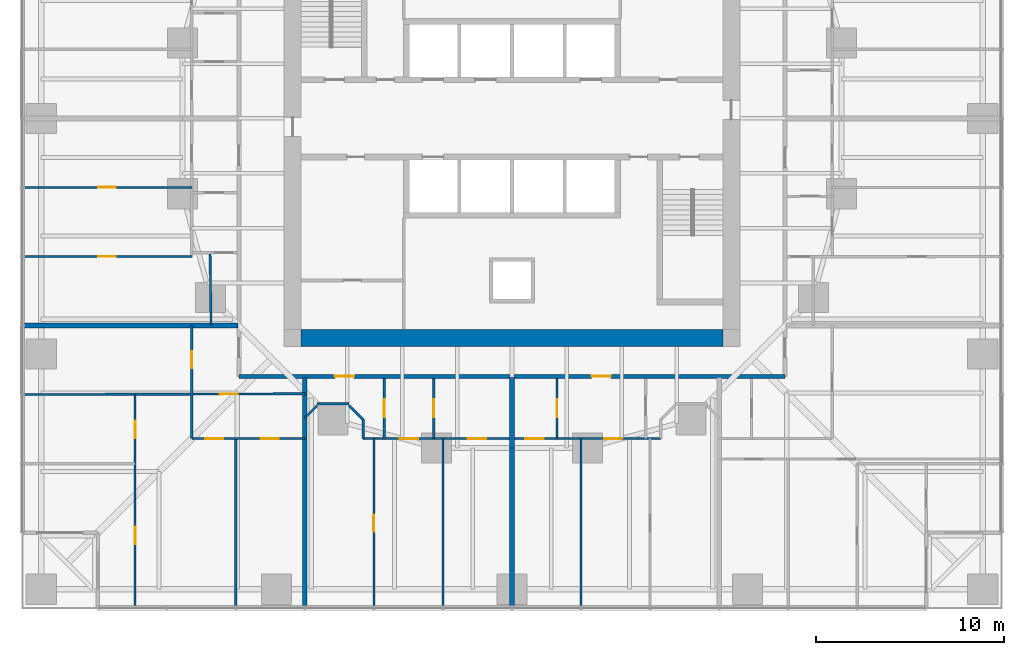
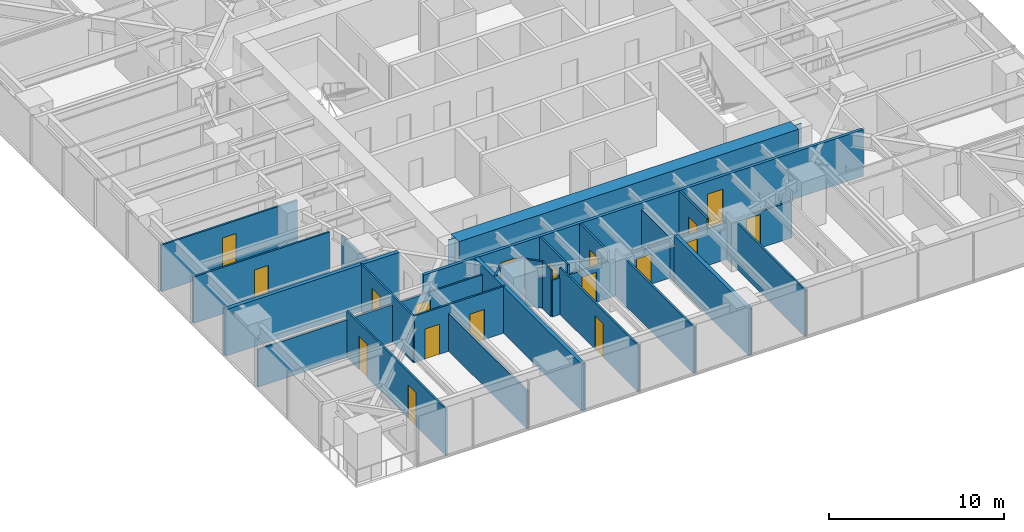
# One storey, part 8 of 17: 25 walls, 18 doors, 18 openings.
"""IFC4 building model written with IfcOpenShell, lengths in metres."""

import ifcopenshell
import ifcopenshell.guid

model = None  # the IFC model being written
_history = None  # IfcOwnerHistory: only IFC2X3 demands one
_inside = {}  # id of a spatial element -> (the spatial element, [elements in it])
_under = {}  # id of a project, library or spatial element -> (it, [spatial elements below it])
_declared = {}  # id of a project -> (the project, [libraries it declares])
_typed = {}  # id of a type object -> (the type object, [elements of that type])
_made_of = {}  # id of a material, layer set ... -> (it, [elements and type objects made of it])


def new_model(schema):
    """Start an empty IFC model of exactly this schema.

    Asked for "IFC4X3", IfcOpenShell would pick the latest addendum, in which some entities
    have other attributes; the version numbers below select the first issue.
    IFC2X3 requires an IfcOwnerHistory on every rooted entity: one is made here for all.
    """
    global model, _history
    if schema == "IFC4X3":
        model = ifcopenshell.file(schema_version=(4, 3, 0, 0))
    else:
        model = ifcopenshell.file(schema=schema)
    _inside.clear()
    _under.clear()
    _declared.clear()
    _typed.clear()
    _made_of.clear()
    _history = None
    if model.schema == "IFC2X3":
        org = make("IfcOrganization", Name="unknown")
        user = make(
            "IfcPersonAndOrganization",
            ThePerson=make("IfcPerson", FamilyName="unknown"),
            TheOrganization=org,
        )
        app = make(
            "IfcApplication",
            ApplicationDeveloper=org,
            Version="unknown",
            ApplicationFullName="unknown",
            ApplicationIdentifier="unknown",
        )
        _history = make(
            "IfcOwnerHistory",
            OwningUser=user,
            OwningApplication=app,
            ChangeAction="ADDED",
            CreationDate=0,
        )
    return model


def make(cls, **values):
    """One entity of the class cls with the attributes given. An attribute that is None is left unset."""
    return model.create_entity(
        cls, **{name: value for name, value in values.items() if value is not None}
    )


def rooted(cls, **values):
    """An entity with a GlobalId (a new one), such as an element, a storey or a relation."""
    return make(cls, GlobalId=ifcopenshell.guid.new(), OwnerHistory=_history, **values)


def si_unit(unit_type, name, prefix=None):
    """IfcSIUnit, for example si_unit("LENGTHUNIT", "METRE", prefix="MILLI")."""
    return make("IfcSIUnit", UnitType=unit_type, Prefix=prefix, Name=name)


def assignment(units):
    """IfcUnitAssignment: the units of a project."""
    return None if units is None else make("IfcUnitAssignment", Units=units)


def point(xyz):
    """IfcCartesianPoint."""
    return None if xyz is None else make("IfcCartesianPoint", Coordinates=xyz)


def direction(xyz):
    """IfcDirection."""
    return None if xyz is None else make("IfcDirection", DirectionRatios=xyz)


def frame(location, z_axis=None, x_axis=None):
    """IfcAxis2Placement3D, a coordinate frame: its origin and axes. An axis left out is left unset."""
    return make(
        "IfcAxis2Placement3D",
        Location=point(location),
        Axis=direction(z_axis),
        RefDirection=direction(x_axis),
    )


def frame_2d(location, x_axis=None):
    """IfcAxis2Placement2D, a coordinate frame in the plane: its origin and x axis."""
    return make(
        "IfcAxis2Placement2D", Location=point(location), RefDirection=direction(x_axis)
    )


def origin():
    """The frame at (0, 0, 0) with its axes left unset."""
    return frame((0.0, 0.0, 0.0))


def place(relative_to, where):
    """IfcLocalPlacement: puts the frame where relative to a parent placement (None: the world)."""
    return make(
        "IfcLocalPlacement", PlacementRelTo=relative_to, RelativePlacement=where
    )


def context(
    kind, dimensions, precision=None, world=None, true_north=None, identifier=None
):
    """IfcGeometricRepresentationContext, for example the 3D "Model" context."""
    return make(
        "IfcGeometricRepresentationContext",
        ContextIdentifier=identifier,
        ContextType=kind,
        CoordinateSpaceDimension=dimensions,
        Precision=precision,
        WorldCoordinateSystem=world,
        TrueNorth=true_north,
    )


def subcontext(parent, identifier, kind, view, scale=None):
    """IfcGeometricRepresentationSubContext, for example "Body" below "Model"."""
    return make(
        "IfcGeometricRepresentationSubContext",
        ContextIdentifier=identifier,
        ContextType=kind,
        ParentContext=parent,
        TargetScale=scale,
        TargetView=view,
    )


def project(units=None, contexts=None):
    """IfcProject with its units and contexts."""
    return rooted(
        "IfcProject",
        Name="project",
        RepresentationContexts=contexts,
        UnitsInContext=assignment(units),
    )


def spatial(cls, under=None, at=None, **own):
    """A site, building, storey or space (cls), placed at a placement, below another one or the project."""
    s = rooted(cls, ObjectPlacement=at, **own)
    if under is not None:
        _under.setdefault(under.id(), (under, []))[1].append(s)
    return s


def polyline(points):
    """IfcPolyline through the points."""
    return make("IfcPolyline", Points=[point(p) for p in points])


def profile(cls, at=None, kind="AREA", **sizes):
    """A parametric profile (cls). Its sizes go by their IFC names, for example OverallWidth=200.0."""
    return make(cls, ProfileType=kind, Position=at, **sizes)


def rectangle(**sizes):
    """IfcRectangleProfileDef."""
    return profile("IfcRectangleProfileDef", **sizes)


def outline(outer, holes=None, kind="AREA"):
    """IfcArbitraryClosedProfileDef: a profile drawn as a closed curve; with holes, ...WithVoids."""
    if holes is None:
        return make("IfcArbitraryClosedProfileDef", ProfileType=kind, OuterCurve=outer)
    return make(
        "IfcArbitraryProfileDefWithVoids",
        ProfileType=kind,
        OuterCurve=outer,
        InnerCurves=holes,
    )


def extrude(swept, where, along, depth):
    """IfcExtrudedAreaSolid: the profile swept, set in the frame where, extruded along a direction by depth."""
    return make(
        "IfcExtrudedAreaSolid",
        SweptArea=swept,
        Position=where,
        ExtrudedDirection=direction(along),
        Depth=depth,
    )


def shape(context_of_items, identifier, shape_type, items):
    """IfcShapeRepresentation: the items that make up one representation, for example the "Body"."""
    return make(
        "IfcShapeRepresentation",
        ContextOfItems=context_of_items,
        RepresentationIdentifier=identifier,
        RepresentationType=shape_type,
        Items=items,
    )


def material(Name=None, Category=None):
    """IfcMaterial."""
    return make("IfcMaterial", Name=Name, Category=Category)


def layer(
    of_material, thickness, ventilated=None, Name=None, Category=None, Priority=None
):
    """IfcMaterialLayer: one layer of a wall or slab, of a material (None: an air gap)."""
    return make(
        "IfcMaterialLayer",
        Material=of_material,
        LayerThickness=thickness,
        IsVentilated=ventilated,
        Name=Name,
        Category=Category,
        Priority=Priority,
    )


def layer_set(layers, Name=None):
    """IfcMaterialLayerSet."""
    return make("IfcMaterialLayerSet", MaterialLayers=layers, LayerSetName=Name)


def made_of(thing, what):
    """Note that an element or type object is made of a material, layer set ...; save() writes the relation."""
    if what is not None:
        _made_of.setdefault(what.id(), (what, []))[1].append(thing)
    return thing


def type_object(cls, material=None, **own):
    """A type object (cls), such as IfcWallType, which elements share."""
    return made_of(rooted(cls, **own), material)


def element(
    cls,
    number,
    at=None,
    inside=None,
    cuts=None,
    type_object=None,
    material=None,
    context=None,
    identifier="Body",
    shape_type=None,
    held_by="IfcProductDefinitionShape",
    body=None,
    shapes=None,
    **own,
):
    """One element of the class cls, such as IfcWall. Its Tag is "e" and its number.

    at: its placement. inside: the storey or other place that contains it. cuts: it is an
    opening in that element (IfcRelVoidsElement). A single representation is given by context,
    identifier, shape_type and body (its items); several are given by shapes. held_by: the class
    of the entity that holds the representations. save() writes the other relations.
    """
    e = rooted(cls, Tag="e%d" % number, ObjectPlacement=at, **own)
    if body is not None:
        shapes = [shape(context, identifier, shape_type, body)]
    if shapes is not None:
        e.Representation = make(held_by, Representations=shapes)
    if inside is not None:
        _inside.setdefault(inside.id(), (inside, []))[1].append(e)
    if cuts is not None:
        rooted(
            "IfcRelVoidsElement", RelatingBuildingElement=cuts, RelatedOpeningElement=e
        )
    if type_object is not None:
        _typed.setdefault(type_object.id(), (type_object, []))[1].append(e)
    return made_of(e, material)


def fill(opening, filler):
    """IfcRelFillsElement: the door or window that sits in an opening."""
    return rooted(
        "IfcRelFillsElement",
        RelatingOpeningElement=opening,
        RelatedBuildingElement=filler,
    )


def aggregate(whole, parts):
    """IfcRelAggregates: a whole, such as a stair, and the parts it consists of."""
    return rooted("IfcRelAggregates", RelatingObject=whole, RelatedObjects=parts)


def save(model, path):
    """Write the relations noted so far, then the file.

    IfcRelAggregates (storeys below a building ...), IfcRelContainedInSpatialStructure (elements
    in a storey), IfcRelDefinesByType, IfcRelAssociatesMaterial and IfcRelDeclares: one each for
    every whole, place, type object, material and project.
    """
    for whole, parts in _under.values():
        aggregate(whole, parts)
    for where, things in _inside.values():
        rooted(
            "IfcRelContainedInSpatialStructure",
            RelatedElements=things,
            RelatingStructure=where,
        )
    for kind, things in _typed.values():
        rooted("IfcRelDefinesByType", RelatedObjects=things, RelatingType=kind)
    for what, things in _made_of.values():
        rooted("IfcRelAssociatesMaterial", RelatedObjects=things, RelatingMaterial=what)
    for by, libraries in _declared.values():
        rooted("IfcRelDeclares", RelatingContext=by, RelatedDefinitions=libraries)
    model.write(path)


model = new_model("IFC4")

# Units and contexts
model_context = context("Model", 3, precision=1e-05, world=origin(), true_north=direction((0.0, 1.0)))
body_context = subcontext(model_context, "Body", "Model", "MODEL_VIEW")
ifc_project = project(units=[si_unit("LENGTHUNIT", "METRE"), si_unit("AREAUNIT", "SQUARE_METRE"), si_unit("VOLUMEUNIT", "CUBIC_METRE"), si_unit("PLANEANGLEUNIT", "RADIAN"), si_unit("MASSUNIT", "GRAM", prefix="KILO")], contexts=[model_context])

# Site, building, storey
site_placement = place(None, origin())
site = spatial("IfcSite", under=ifc_project, at=site_placement, CompositionType="ELEMENT")
building_placement = place(site_placement, origin())
building = spatial("IfcBuilding", under=site, at=building_placement, Name="Torsade Residences", CompositionType="ELEMENT")
storey_placement = place(building_placement, frame((0.0, 0.0, 21.800048828125)))
storey = spatial("IfcBuildingStorey", under=building, at=storey_placement, Name="L05", CompositionType="ELEMENT", Elevation=21.800048828125)

# Wall
ifc_material_1 = material(Name="Concrete 80 MPa", Category="concrete")
ifc_layer_1 = layer(ifc_material_1, 0.89990234375)
ifc_layer_set_1 = layer_set([ifc_layer_1], Name="Concrete 80 MPa")
wall_type_1 = type_object("IfcWallType", Name="CORE WALL 900", PredefinedType="SHEAR", material=ifc_layer_set_1)
wall_1_placement = place(storey_placement, frame((51.199951171875, 18.35009765625, 0.0), z_axis=(0.0, 0.0, 1.0), x_axis=(-1.0, 0.0, 0.0)))
element("IfcWall", 1, at=wall_1_placement, inside=storey, type_object=wall_type_1, Name="Core wall S L05", PredefinedType="SHEAR", context=body_context, shape_type="SweptSolid", body=[
    extrude(outline(polyline([(0.0, -0.449951171875), (22.39990234375, -0.449951171875), (22.39990234375, -0.02490234375), (22.849853515625, -0.02490234375), (22.849853515625, 0.02490234375), (22.39990234375, 0.02490234375), (22.39990234375, 0.449951171875), (0.0, 0.449951171875), (0.0, 0.02490234375), (-0.449951171875, 0.02490234375), (-0.449951171875, -0.02490234375), (0.0, -0.02490234375), (0.0, -0.449951171875)])), origin(), (0.0, 0.0, 1.0), 3.39990234375),
])

# Wall, openings, doors
ifc_material_2 = material(Name="Plasterboard on steel stud", Category="steel")
ifc_layer_2 = layer(ifc_material_2, 0.199951171875)
ifc_layer_set_2 = layer_set([ifc_layer_2], Name="Plasterboard on steel stud")
wall_type_2 = type_object("IfcWallType", Name="CORRIDOR WALL 200", PredefinedType="PARTITIONING", material=ifc_layer_set_2)
wall_2_placement = place(storey_placement, frame((25.5, 16.300048828125, 0.0), z_axis=(0.0, 0.0, 1.0), x_axis=(1.0, 0.0, 0.0)))
wall_2 = element("IfcWall", 2, at=wall_2_placement, inside=storey, type_object=wall_type_2, Name="Corridor wall L05", PredefinedType="PARTITIONING", context=body_context, shape_type="SweptSolid", body=[
    extrude(rectangle(XDim=29.0, YDim=0.199951171875, at=frame_2d((14.5, 0.0))), origin(), (0.0, 0.0, 1.0), 3.25),
])
opening_1_placement = place(wall_2_placement, frame((18.734130859375, 0.0, 0.0)))
opening_1 = element("IfcOpeningElement", 3, at=opening_1_placement, cuts=wall_2, Name="Opening D01", PredefinedType="OPENING", context=body_context, shape_type="SweptSolid", body=[
    extrude(rectangle(XDim=1.02001953125, YDim=2.340087890625, at=frame_2d((0.510009765625, 1.169921875))), frame((0.0, 0.10986328125, 0.0), z_axis=(0.0, -1.0, 0.0), x_axis=(1.0, 0.0, 0.0)), (0.0, 0.0, 1.0), 0.219970703125),
])
opening_2_placement = place(wall_2_placement, frame((5.09619140625, 0.0, 0.0)))
opening_2 = element("IfcOpeningElement", 4, at=opening_2_placement, cuts=wall_2, Name="Opening D01", PredefinedType="OPENING", context=body_context, shape_type="SweptSolid", body=[
    extrude(rectangle(XDim=1.02001953125, YDim=2.340087890625, at=frame_2d((0.510009765625, 1.169921875))), frame((0.0, 0.10986328125, 0.0), z_axis=(0.0, -1.0, 0.0), x_axis=(1.0, 0.0, 0.0)), (0.0, 0.0, 1.0), 0.219970703125),
])
ifc_material_3 = material(Name="Solid-core timber fire door", Category="wood")
door_type_1 = type_object("IfcDoorType", Name="APARTMENT ENTRY DOOR 1020x2340", OperationType="NOTDEFINED", PredefinedType="DOOR", material=ifc_material_3)
door_1_placement = place(opening_1_placement, origin())
door_1 = element("IfcDoor", 5, at=door_1_placement, inside=storey, type_object=door_type_1, Name="Door Residential corridor to Kitchen and dining", OperationType="SINGLE_SWING_RIGHT", OverallHeight=2.340087890625, OverallWidth=1.02001953125, PredefinedType="DOOR", context=body_context, shape_type="SweptSolid", body=[
    extrude(rectangle(XDim=1.02001953125, YDim=2.340087890625, at=frame_2d((0.510009765625, 1.169921875))), frame((0.0, 0.02490234375, 0.0), z_axis=(0.0, -1.0, 0.0), x_axis=(1.0, 0.0, 0.0)), (0.0, 0.0, 1.0), 0.050048828125),
])
fill(opening_1, door_1)
door_2_placement = place(opening_2_placement, origin())
door_2 = element("IfcDoor", 6, at=door_2_placement, inside=storey, type_object=door_type_1, Name="Door Residential corridor to Kitchen and dining", OperationType="SINGLE_SWING_RIGHT", OverallHeight=2.340087890625, OverallWidth=1.02001953125, PredefinedType="DOOR", context=body_context, shape_type="SweptSolid", body=[
    extrude(rectangle(XDim=1.02001953125, YDim=2.340087890625, at=frame_2d((0.510009765625, 1.169921875))), frame((0.0, 0.02490234375, 0.0), z_axis=(0.0, -1.0, 0.0), x_axis=(1.0, 0.0, 0.0)), (0.0, 0.0, 1.0), 0.050048828125),
])
fill(opening_2, door_2)

# Wall
ifc_material_4 = material(Name="Plasterboard on steel stud", Category="steel")
ifc_layer_3 = layer(ifc_material_4, 0.1201171875)
ifc_layer_set_3 = layer_set([ifc_layer_3], Name="Plasterboard on steel stud")
wall_type_3 = type_object("IfcWallType", Name="PARTITION 120", PredefinedType="PARTITIONING", material=ifc_layer_set_3)
wall_3_placement = place(storey_placement, frame((24.020263671875, 19.0, 0.0), z_axis=(0.0, 0.0, 1.0), x_axis=(-0.013494388256, 0.999908946597, 0.0)))
element("IfcWall", 7, at=wall_3_placement, inside=storey, type_object=wall_type_3, Name="Partition L05", PredefinedType="PARTITIONING", context=body_context, shape_type="SweptSolid", body=[
    extrude(rectangle(XDim=3.87158203125, YDim=0.1201171875, at=frame_2d((1.935791015625, 0.0))), origin(), (0.0, 0.0, 1.0), 2.549072265625),
])

# Wall, opening, door
wall_4_placement = place(storey_placement, frame((23.0, 26.333251953125, 0.0), z_axis=(0.0, 0.0, 1.0), x_axis=(-1.0, 0.0, 0.0)))
wall_4 = element("IfcWall", 8, at=wall_4_placement, inside=storey, type_object=wall_type_3, Name="Partition L05", PredefinedType="PARTITIONING", context=body_context, shape_type="SweptSolid", body=[
    extrude(rectangle(XDim=8.9599609375, YDim=0.1201171875, at=frame_2d((4.47998046875, 0.0))), origin(), (0.0, 0.0, 1.0), 3.25),
])
opening_3_placement = place(wall_4_placement, frame((4.0400390625, 0.0, 0.0)))
opening_3 = element("IfcOpeningElement", 9, at=opening_3_placement, cuts=wall_4, Name="Opening D02", PredefinedType="OPENING", context=body_context, shape_type="SweptSolid", body=[
    extrude(rectangle(XDim=0.919921875, YDim=2.340087890625, at=frame_2d((0.4599609375, 1.169921875))), frame((0.0, 0.070068359375, 0.0), z_axis=(0.0, -1.0, 0.0), x_axis=(1.0, 0.0, 0.0)), (0.0, 0.0, 1.0), 0.14013671875),
])
ifc_material_5 = material(Name="Hollow-core timber door", Category="wood")
door_type_2 = type_object("IfcDoorType", Name="INTERNAL DOOR 920x2340", OperationType="NOTDEFINED", PredefinedType="DOOR", material=ifc_material_5)
door_3_placement = place(opening_3_placement, origin())
door_3 = element("IfcDoor", 10, at=door_3_placement, inside=storey, type_object=door_type_2, Name="Door Living room to Bedroom 2", OperationType="SINGLE_SWING_LEFT", OverallHeight=2.340087890625, OverallWidth=0.919921875, PredefinedType="DOOR", context=body_context, shape_type="SweptSolid", body=[
    extrude(rectangle(XDim=0.919921875, YDim=2.340087890625, at=frame_2d((0.4599609375, 1.169921875))), frame((0.0, 0.02490234375, 0.0), z_axis=(0.0, -1.0, 0.0), x_axis=(1.0, 0.0, 0.0)), (0.0, 0.0, 1.0), 0.050048828125),
])
fill(opening_3, door_3)

wall_5_placement = place(storey_placement, frame((14.0400390625, 22.666748046875, 0.0), z_axis=(0.0, 0.0, 1.0), x_axis=(1.0, 0.0, 0.0)))
wall_5 = element("IfcWall", 11, at=wall_5_placement, inside=storey, type_object=wall_type_3, Name="Partition L05", PredefinedType="PARTITIONING", context=body_context, shape_type="SweptSolid", body=[
    extrude(rectangle(XDim=8.9599609375, YDim=0.1201171875, at=frame_2d((4.47998046875, 0.0))), origin(), (0.0, 0.0, 1.0), 3.25),
])
opening_4_placement = place(wall_5_placement, frame((4.0, 0.0, 0.0)))
opening_4 = element("IfcOpeningElement", 12, at=opening_4_placement, cuts=wall_5, Name="Opening D02", PredefinedType="OPENING", context=body_context, shape_type="SweptSolid", body=[
    extrude(rectangle(XDim=0.919921875, YDim=2.340087890625, at=frame_2d((0.4599609375, 1.169921875))), frame((0.0, 0.070068359375, 0.0), z_axis=(0.0, -1.0, 0.0), x_axis=(1.0, 0.0, 0.0)), (0.0, 0.0, 1.0), 0.14013671875),
])
door_4_placement = place(opening_4_placement, origin())
door_4 = element("IfcDoor", 13, at=door_4_placement, inside=storey, type_object=door_type_2, Name="Door Bedroom 2 to Bedroom 1", OperationType="SINGLE_SWING_LEFT", OverallHeight=2.340087890625, OverallWidth=0.919921875, PredefinedType="DOOR", context=body_context, shape_type="SweptSolid", body=[
    extrude(rectangle(XDim=0.919921875, YDim=2.340087890625, at=frame_2d((0.4599609375, 1.169921875))), frame((0.0, 0.02490234375, 0.0), z_axis=(0.0, -1.0, 0.0), x_axis=(1.0, 0.0, 0.0)), (0.0, 0.0, 1.0), 0.050048828125),
])
fill(opening_4, door_4)

wall_6_placement = place(storey_placement, frame((29.0, 15.377685546875, 0.0), z_axis=(0.0, 0.0, 1.0), x_axis=(-0.999995589081, -0.002970154664, 0.0)))
wall_6 = element("IfcWall", 14, at=wall_6_placement, inside=storey, type_object=wall_type_3, Name="Partition L05", PredefinedType="PARTITIONING", context=body_context, shape_type="SweptSolid", body=[
    extrude(rectangle(XDim=14.9599609375, YDim=0.1201171875, at=frame_2d((7.47998046875, 0.0))), origin(), (0.0, 0.0, 1.0), 2.637939453125),
])
opening_5_placement = place(wall_6_placement, frame((3.570068359375, 0.0, 0.0)))
opening_5 = element("IfcOpeningElement", 15, at=opening_5_placement, cuts=wall_6, Name="Opening D05", PredefinedType="OPENING", context=body_context, shape_type="SweptSolid", body=[
    extrude(rectangle(XDim=0.9599609375, YDim=2.10009765625, at=frame_2d((0.47998046875, 1.050048828125))), frame((0.0, 0.070068359375, 0.0), z_axis=(0.0, -1.0, 0.0), x_axis=(1.0, 0.0, 0.0)), (0.0, 0.0, 1.0), 0.14013671875),
])
ifc_material_6 = material(Name="Hollow-core timber door in a steel cavity frame", Category="steel")
door_type_3 = type_object("IfcDoorType", Name="BATHROOM CAVITY SLIDING DOOR 960", OperationType="SLIDING_TO_LEFT", PredefinedType="DOOR", material=ifc_material_6)
door_5_placement = place(opening_5_placement, origin())
door_5 = element("IfcDoor", 16, at=door_5_placement, inside=storey, type_object=door_type_3, Name="Door Kitchen and dining to Bathroom", OperationType="SLIDING_TO_LEFT", OverallHeight=2.10009765625, OverallWidth=0.9599609375, PredefinedType="DOOR", context=body_context, shape_type="SweptSolid", body=[
    extrude(rectangle(XDim=0.9599609375, YDim=2.10009765625, at=frame_2d((0.47998046875, 1.050048828125))), frame((0.0, 0.02490234375, 0.0), z_axis=(0.0, -1.0, 0.0), x_axis=(1.0, 0.0, 0.0)), (0.0, 0.0, 1.0), 0.050048828125),
])
fill(opening_5, door_5)

wall_7_placement = place(storey_placement, frame((23.0, 13.0, 0.0), z_axis=(0.0, 0.0, 1.0), x_axis=(0.0, 1.0, 0.0)))
wall_7 = element("IfcWall", 17, at=wall_7_placement, inside=storey, type_object=wall_type_3, Name="Partition L05", PredefinedType="PARTITIONING", context=body_context, shape_type="SweptSolid", body=[
    extrude(rectangle(XDim=6.0, YDim=0.1201171875, at=frame_2d((3.0, 0.0))), origin(), (0.0, 0.0, 1.0), 3.25),
])
opening_6_placement = place(wall_7_placement, frame((3.72900390625, 0.0, 0.0)))
opening_6 = element("IfcOpeningElement", 18, at=opening_6_placement, cuts=wall_7, Name="Opening D02", PredefinedType="OPENING", context=body_context, shape_type="SweptSolid", body=[
    extrude(rectangle(XDim=0.919921875, YDim=2.340087890625, at=frame_2d((0.4599609375, 1.169921875))), frame((0.0, 0.070068359375, 0.0), z_axis=(0.0, -1.0, 0.0), x_axis=(1.0, 0.0, 0.0)), (0.0, 0.0, 1.0), 0.14013671875),
])
door_6_placement = place(opening_6_placement, origin())
door_6 = element("IfcDoor", 19, at=door_6_placement, inside=storey, type_object=door_type_2, Name="Door Kitchen and dining to Bedroom 1", OperationType="SINGLE_SWING_RIGHT", OverallHeight=2.340087890625, OverallWidth=0.919921875, PredefinedType="DOOR", context=body_context, shape_type="SweptSolid", body=[
    extrude(rectangle(XDim=0.919921875, YDim=2.340087890625, at=frame_2d((0.4599609375, 1.169921875))), frame((0.0, 0.02490234375, 0.0), z_axis=(0.0, -1.0, 0.0), x_axis=(1.0, 0.0, 0.0)), (0.0, 0.0, 1.0), 0.050048828125),
])
fill(opening_6, door_6)

# Wall, openings, doors
wall_8_placement = place(storey_placement, frame((29.0, 13.0, 0.0), z_axis=(0.0, 0.0, 1.0), x_axis=(-1.0, 0.0, 0.0)))
wall_8 = element("IfcWall", 20, at=wall_8_placement, inside=storey, type_object=wall_type_3, Name="Partition L05", PredefinedType="PARTITIONING", context=body_context, shape_type="SweptSolid", body=[
    extrude(rectangle(XDim=6.0, YDim=0.1201171875, at=frame_2d((3.0, 0.0))), origin(), (0.0, 0.0, 1.0), 3.25),
])
opening_7_placement = place(wall_8_placement, frame((1.37841796875, 0.0, 0.0)))
opening_7 = element("IfcOpeningElement", 21, at=opening_7_placement, cuts=wall_8, Name="Opening D05", PredefinedType="OPENING", context=body_context, shape_type="SweptSolid", body=[
    extrude(rectangle(XDim=0.9599609375, YDim=2.10009765625, at=frame_2d((0.47998046875, 1.050048828125))), frame((0.0, 0.070068359375, 0.0), z_axis=(0.0, -1.0, 0.0), x_axis=(1.0, 0.0, 0.0)), (0.0, 0.0, 1.0), 0.14013671875),
])
opening_8_placement = place(wall_8_placement, frame((4.328369140625, 0.0, 0.0)))
opening_8 = element("IfcOpeningElement", 22, at=opening_8_placement, cuts=wall_8, Name="Opening D05", PredefinedType="OPENING", context=body_context, shape_type="SweptSolid", body=[
    extrude(rectangle(XDim=0.9599609375, YDim=2.10009765625, at=frame_2d((0.47998046875, 1.050048828125))), frame((0.0, 0.070068359375, 0.0), z_axis=(0.0, -1.0, 0.0), x_axis=(1.0, 0.0, 0.0)), (0.0, 0.0, 1.0), 0.14013671875),
])
door_7_placement = place(opening_7_placement, origin())
door_7 = element("IfcDoor", 23, at=door_7_placement, inside=storey, type_object=door_type_3, Name="Door Bathroom to Bedroom 2", OperationType="SLIDING_TO_LEFT", OverallHeight=2.10009765625, OverallWidth=0.9599609375, PredefinedType="DOOR", context=body_context, shape_type="SweptSolid", body=[
    extrude(rectangle(XDim=0.9599609375, YDim=2.10009765625, at=frame_2d((0.47998046875, 1.050048828125))), frame((0.0, 0.02490234375, 0.0), z_axis=(0.0, -1.0, 0.0), x_axis=(1.0, 0.0, 0.0)), (0.0, 0.0, 1.0), 0.050048828125),
])
fill(opening_7, door_7)
door_8_placement = place(opening_8_placement, origin())
door_8 = element("IfcDoor", 24, at=door_8_placement, inside=storey, type_object=door_type_3, Name="Door Bathroom to Living room", OperationType="SLIDING_TO_LEFT", OverallHeight=2.10009765625, OverallWidth=0.9599609375, PredefinedType="DOOR", context=body_context, shape_type="SweptSolid", body=[
    extrude(rectangle(XDim=0.9599609375, YDim=2.10009765625, at=frame_2d((0.47998046875, 1.050048828125))), frame((0.0, 0.02490234375, 0.0), z_axis=(0.0, -1.0, 0.0), x_axis=(1.0, 0.0, 0.0)), (0.0, 0.0, 1.0), 0.050048828125),
])
fill(opening_8, door_8)

# Wall
wall_9_placement = place(storey_placement, frame((25.333251953125, 13.0, 0.0), z_axis=(0.0, 0.0, 1.0), x_axis=(0.0, -1.0, 0.0)))
element("IfcWall", 25, at=wall_9_placement, inside=storey, type_object=wall_type_3, Name="Partition L05", PredefinedType="PARTITIONING", context=body_context, shape_type="SweptSolid", body=[
    extrude(rectangle(XDim=8.9599609375, YDim=0.1201171875, at=frame_2d((4.47998046875, 0.0))), origin(), (0.0, 0.0, 1.0), 2.637939453125),
])

# Wall, openings, doors
wall_10_placement = place(storey_placement, frame((19.986083984375, 4.0400390625, 0.0), z_axis=(0.0, 0.0, 1.0), x_axis=(0.0, 1.0, 0.0)))
wall_10 = element("IfcWall", 26, at=wall_10_placement, inside=storey, type_object=wall_type_3, Name="Partition L05", PredefinedType="PARTITIONING", context=body_context, shape_type="SweptSolid", body=[
    extrude(rectangle(XDim=11.293212890625, YDim=0.1201171875, at=frame_2d((5.646484375, 0.0))), origin(), (0.0, 0.0, 1.0), 3.25),
])
opening_9_placement = place(wall_10_placement, frame((3.3583984375, 0.0, 0.0)))
opening_9 = element("IfcOpeningElement", 27, at=opening_9_placement, cuts=wall_10, Name="Opening D02", PredefinedType="OPENING", context=body_context, shape_type="SweptSolid", body=[
    extrude(rectangle(XDim=0.919921875, YDim=2.340087890625, at=frame_2d((0.4599609375, 1.169921875))), frame((0.0, 0.070068359375, 0.0), z_axis=(0.0, -1.0, 0.0), x_axis=(1.0, 0.0, 0.0)), (0.0, 0.0, 1.0), 0.14013671875),
])
opening_10_placement = place(wall_10_placement, frame((8.97509765625, 0.0, 0.0)))
opening_10 = element("IfcOpeningElement", 28, at=opening_10_placement, cuts=wall_10, Name="Opening D02", PredefinedType="OPENING", context=body_context, shape_type="SweptSolid", body=[
    extrude(rectangle(XDim=0.919921875, YDim=2.340087890625, at=frame_2d((0.4599609375, 1.169921875))), frame((0.0, 0.070068359375, 0.0), z_axis=(0.0, -1.0, 0.0), x_axis=(1.0, 0.0, 0.0)), (0.0, 0.0, 1.0), 0.14013671875),
])
door_9_placement = place(opening_9_placement, origin())
door_9 = element("IfcDoor", 29, at=door_9_placement, inside=storey, type_object=door_type_2, Name="Door Living room to Study", OperationType="SINGLE_SWING_RIGHT", OverallHeight=2.340087890625, OverallWidth=0.919921875, PredefinedType="DOOR", context=body_context, shape_type="SweptSolid", body=[
    extrude(rectangle(XDim=0.919921875, YDim=2.340087890625, at=frame_2d((0.4599609375, 1.169921875))), frame((0.0, 0.02490234375, 0.0), z_axis=(0.0, -1.0, 0.0), x_axis=(1.0, 0.0, 0.0)), (0.0, 0.0, 1.0), 0.050048828125),
])
fill(opening_9, door_9)
door_10_placement = place(opening_10_placement, origin())
door_10 = element("IfcDoor", 30, at=door_10_placement, inside=storey, type_object=door_type_2, Name="Door Living room to Family room", OperationType="SINGLE_SWING_LEFT", OverallHeight=2.340087890625, OverallWidth=0.919921875, PredefinedType="DOOR", context=body_context, shape_type="SweptSolid", body=[
    extrude(rectangle(XDim=0.919921875, YDim=2.340087890625, at=frame_2d((0.4599609375, 1.169921875))), frame((0.0, 0.02490234375, 0.0), z_axis=(0.0, -1.0, 0.0), x_axis=(1.0, 0.0, 0.0)), (0.0, 0.0, 1.0), 0.050048828125),
])
fill(opening_10, door_10)

# Wall, opening, door
wall_11_placement = place(storey_placement, frame((33.21240234375, 16.199951171875, 0.0), z_axis=(0.0, 0.0, 1.0), x_axis=(0.0, -1.0, 0.0)))
wall_11 = element("IfcWall", 31, at=wall_11_placement, inside=storey, type_object=wall_type_3, Name="Partition L05", PredefinedType="PARTITIONING", context=body_context, shape_type="SweptSolid", body=[
    extrude(rectangle(XDim=3.199951171875, YDim=0.1201171875, at=frame_2d((1.60009765625, 0.0))), origin(), (0.0, 0.0, 1.0), 3.25),
])
opening_11_placement = place(wall_11_placement, frame((1.1201171875, 0.0, 0.0)))
opening_11 = element("IfcOpeningElement", 32, at=opening_11_placement, cuts=wall_11, Name="Opening D05", PredefinedType="OPENING", context=body_context, shape_type="SweptSolid", body=[
    extrude(rectangle(XDim=0.9599609375, YDim=2.10009765625, at=frame_2d((0.47998046875, 1.050048828125))), frame((0.0, 0.070068359375, 0.0), z_axis=(0.0, -1.0, 0.0), x_axis=(1.0, 0.0, 0.0)), (0.0, 0.0, 1.0), 0.14013671875),
])
door_11_placement = place(opening_11_placement, origin())
door_11 = element("IfcDoor", 33, at=door_11_placement, inside=storey, type_object=door_type_3, Name="Door Kitchen and dining to Ensuite", OperationType="SLIDING_TO_LEFT", OverallHeight=2.10009765625, OverallWidth=0.9599609375, PredefinedType="DOOR", context=body_context, shape_type="SweptSolid", body=[
    extrude(rectangle(XDim=0.9599609375, YDim=2.10009765625, at=frame_2d((0.47998046875, 1.050048828125))), frame((0.0, 0.02490234375, 0.0), z_axis=(0.0, -1.0, 0.0), x_axis=(1.0, 0.0, 0.0)), (0.0, 0.0, 1.0), 0.050048828125),
])
fill(opening_11, door_11)

# Wall, openings, doors
wall_12_placement = place(storey_placement, frame((47.89990234375, 13.0, 0.0), z_axis=(0.0, 0.0, 1.0), x_axis=(-1.0, 0.0, 0.0)))
wall_12 = element("IfcWall", 34, at=wall_12_placement, inside=storey, type_object=wall_type_3, Name="Partition L05", PredefinedType="PARTITIONING", context=body_context, shape_type="SweptSolid", body=[
    extrude(rectangle(XDim=15.7998046875, YDim=0.1201171875, at=frame_2d((7.89990234375, 0.0))), origin(), (0.0, 0.0, 1.0), 2.549072265625),
])
opening_12_placement = place(wall_12_placement, frame((2.082763671875, 0.0, 0.0)))
opening_12 = element("IfcOpeningElement", 35, at=opening_12_placement, cuts=wall_12, Name="Opening D02", PredefinedType="OPENING", context=body_context, shape_type="SweptSolid", body=[
    extrude(rectangle(XDim=0.919921875, YDim=2.340087890625, at=frame_2d((0.4599609375, 1.169921875))), frame((0.0, 0.070068359375, 0.0), z_axis=(0.0, -1.0, 0.0), x_axis=(1.0, 0.0, 0.0)), (0.0, 0.0, 1.0), 0.14013671875),
])
opening_13_placement = place(wall_12_placement, frame((6.224609375, 0.0, 0.0)))
opening_13 = element("IfcOpeningElement", 36, at=opening_13_placement, cuts=wall_12, Name="Opening D05", PredefinedType="OPENING", context=body_context, shape_type="SweptSolid", body=[
    extrude(rectangle(XDim=0.9599609375, YDim=2.10009765625, at=frame_2d((0.47998046875, 1.050048828125))), frame((0.0, 0.070068359375, 0.0), z_axis=(0.0, -1.0, 0.0), x_axis=(1.0, 0.0, 0.0)), (0.0, 0.0, 1.0), 0.14013671875),
])
opening_14_placement = place(wall_12_placement, frame((12.88818359375, 0.0, 0.0)))
opening_14 = element("IfcOpeningElement", 37, at=opening_14_placement, cuts=wall_12, Name="Opening D05", PredefinedType="OPENING", context=body_context, shape_type="SweptSolid", body=[
    extrude(rectangle(XDim=0.9599609375, YDim=2.10009765625, at=frame_2d((0.47998046875, 1.050048828125))), frame((0.0, 0.070068359375, 0.0), z_axis=(0.0, -1.0, 0.0), x_axis=(1.0, 0.0, 0.0)), (0.0, 0.0, 1.0), 0.14013671875),
])
opening_15_placement = place(wall_12_placement, frame((9.2783203125, 0.0, 0.0)))
opening_15 = element("IfcOpeningElement", 38, at=opening_15_placement, cuts=wall_12, Name="Opening D05", PredefinedType="OPENING", context=body_context, shape_type="SweptSolid", body=[
    extrude(rectangle(XDim=0.9599609375, YDim=2.10009765625, at=frame_2d((0.47998046875, 1.050048828125))), frame((0.0, 0.070068359375, 0.0), z_axis=(0.0, -1.0, 0.0), x_axis=(1.0, 0.0, 0.0)), (0.0, 0.0, 1.0), 0.14013671875),
])
door_12_placement = place(opening_13_placement, origin())
door_12 = element("IfcDoor", 39, at=door_12_placement, inside=storey, type_object=door_type_3, Name="Door Ensuite to Living room", OperationType="SLIDING_TO_LEFT", OverallHeight=2.10009765625, OverallWidth=0.9599609375, PredefinedType="DOOR", context=body_context, shape_type="SweptSolid", body=[
    extrude(rectangle(XDim=0.9599609375, YDim=2.10009765625, at=frame_2d((0.47998046875, 1.050048828125))), frame((0.0, 0.02490234375, 0.0), z_axis=(0.0, -1.0, 0.0), x_axis=(1.0, 0.0, 0.0)), (0.0, 0.0, 1.0), 0.050048828125),
])
fill(opening_13, door_12)
door_13_placement = place(opening_14_placement, origin())
door_13 = element("IfcDoor", 40, at=door_13_placement, inside=storey, type_object=door_type_3, Name="Door Ensuite to Bedroom 2", OperationType="SLIDING_TO_LEFT", OverallHeight=2.10009765625, OverallWidth=0.9599609375, PredefinedType="DOOR", context=body_context, shape_type="SweptSolid", body=[
    extrude(rectangle(XDim=0.9599609375, YDim=2.10009765625, at=frame_2d((0.47998046875, 1.050048828125))), frame((0.0, 0.02490234375, 0.0), z_axis=(0.0, -1.0, 0.0), x_axis=(1.0, 0.0, 0.0)), (0.0, 0.0, 1.0), 0.050048828125),
])
fill(opening_14, door_13)
door_14_placement = place(opening_15_placement, origin())
door_14 = element("IfcDoor", 41, at=door_14_placement, inside=storey, type_object=door_type_3, Name="Door Bathroom to Bedroom 1", OperationType="SLIDING_TO_LEFT", OverallHeight=2.10009765625, OverallWidth=0.9599609375, PredefinedType="DOOR", context=body_context, shape_type="SweptSolid", body=[
    extrude(rectangle(XDim=0.9599609375, YDim=2.10009765625, at=frame_2d((0.47998046875, 1.050048828125))), frame((0.0, 0.02490234375, 0.0), z_axis=(0.0, -1.0, 0.0), x_axis=(1.0, 0.0, 0.0)), (0.0, 0.0, 1.0), 0.050048828125),
])
fill(opening_15, door_14)
door_15_placement = place(opening_12_placement, origin())
door_15 = element("IfcDoor", 42, at=door_15_placement, inside=storey, type_object=door_type_2, Name="Door Kitchen and dining to Bedroom 2", OperationType="SINGLE_SWING_RIGHT", OverallHeight=2.340087890625, OverallWidth=0.919921875, PredefinedType="DOOR", context=body_context, shape_type="SweptSolid", body=[
    extrude(rectangle(XDim=0.919921875, YDim=2.340087890625, at=frame_2d((0.4599609375, 1.169921875))), frame((0.0, 0.02490234375, 0.0), z_axis=(0.0, -1.0, 0.0), x_axis=(1.0, 0.0, 0.0)), (0.0, 0.0, 1.0), 0.050048828125),
])
fill(opening_12, door_15)

# Walls
wall_13_placement = place(storey_placement, frame((32.10009765625, 13.0, 0.0), z_axis=(0.0, 0.0, 1.0), x_axis=(0.0, 1.0, 0.0)))
element("IfcWall", 43, at=wall_13_placement, inside=storey, type_object=wall_type_3, Name="Partition L05", PredefinedType="PARTITIONING", context=body_context, shape_type="SweptSolid", body=[
    extrude(rectangle(XDim=1.0, YDim=0.1201171875, at=frame_2d((0.5, 0.0))), origin(), (0.0, 0.0, 1.0), 3.25),
])
wall_14_placement = place(storey_placement, frame((32.10009765625, 14.0, 0.0), z_axis=(0.0, 0.0, 1.0), x_axis=(-0.707106781187, 0.707106781187, 0.0)))
element("IfcWall", 44, at=wall_14_placement, inside=storey, type_object=wall_type_3, Name="Partition L05", PredefinedType="PARTITIONING", context=body_context, shape_type="SweptSolid", body=[
    extrude(rectangle(XDim=1.060546875, YDim=0.1201171875, at=frame_2d((0.5302734375, 0.0))), origin(), (0.0, 0.0, 1.0), 3.25),
])
wall_15_placement = place(storey_placement, frame((31.35009765625, 14.85009765625, 0.0), z_axis=(0.0, 0.0, 1.0), x_axis=(-1.0, 0.0, 0.0)))
element("IfcWall", 45, at=wall_15_placement, inside=storey, type_object=wall_type_3, Name="Partition L05", PredefinedType="PARTITIONING", context=body_context, shape_type="SweptSolid", body=[
    extrude(rectangle(XDim=1.7001953125, YDim=0.1201171875, at=frame_2d((0.85009765625, 0.0))), origin(), (0.0, 0.0, 1.0), 3.25),
])
wall_16_placement = place(storey_placement, frame((29.64990234375, 14.75, 0.0), z_axis=(0.0, 0.0, 1.0), x_axis=(-0.707106781187, -0.707106781187, 0.0)))
element("IfcWall", 46, at=wall_16_placement, inside=storey, type_object=wall_type_3, Name="Partition L05", PredefinedType="PARTITIONING", context=body_context, shape_type="SweptSolid", body=[
    extrude(rectangle(XDim=0.919189453125, YDim=0.1201171875, at=frame_2d((0.45947265625, 0.0))), origin(), (0.0, 0.0, 1.0), 3.25),
])

# Wall, opening, door
wall_17_placement = place(storey_placement, frame((35.851318359375, 13.0, 0.0), z_axis=(0.0, 0.0, 1.0), x_axis=(0.0, 1.0, 0.0)))
wall_17 = element("IfcWall", 47, at=wall_17_placement, inside=storey, type_object=wall_type_3, Name="Partition L05", PredefinedType="PARTITIONING", context=body_context, shape_type="SweptSolid", body=[
    extrude(rectangle(XDim=3.199951171875, YDim=0.1201171875, at=frame_2d((1.60009765625, 0.0))), origin(), (0.0, 0.0, 1.0), 3.25),
])
opening_16_placement = place(wall_17_placement, frame((1.1201171875, 0.0, 0.0)))
opening_16 = element("IfcOpeningElement", 48, at=opening_16_placement, cuts=wall_17, Name="Opening D05", PredefinedType="OPENING", context=body_context, shape_type="SweptSolid", body=[
    extrude(rectangle(XDim=0.9599609375, YDim=2.10009765625, at=frame_2d((0.47998046875, 1.050048828125))), frame((0.0, 0.070068359375, 0.0), z_axis=(0.0, -1.0, 0.0), x_axis=(1.0, 0.0, 0.0)), (0.0, 0.0, 1.0), 0.14013671875),
])
door_16_placement = place(opening_16_placement, origin())
door_16 = element("IfcDoor", 49, at=door_16_placement, inside=storey, type_object=door_type_3, Name="Door Ensuite to Bathroom", OperationType="SLIDING_TO_LEFT", OverallHeight=2.10009765625, OverallWidth=0.9599609375, PredefinedType="DOOR", context=body_context, shape_type="SweptSolid", body=[
    extrude(rectangle(XDim=0.9599609375, YDim=2.10009765625, at=frame_2d((0.47998046875, 1.050048828125))), frame((0.0, 0.02490234375, 0.0), z_axis=(0.0, -1.0, 0.0), x_axis=(1.0, 0.0, 0.0)), (0.0, 0.0, 1.0), 0.050048828125),
])
fill(opening_16, door_16)

wall_18_placement = place(storey_placement, frame((32.666748046875, 13.0, 0.0), z_axis=(0.0, 0.0, 1.0), x_axis=(0.0, -1.0, 0.0)))
wall_18 = element("IfcWall", 50, at=wall_18_placement, inside=storey, type_object=wall_type_3, Name="Partition L05", PredefinedType="PARTITIONING", context=body_context, shape_type="SweptSolid", body=[
    extrude(rectangle(XDim=8.9599609375, YDim=0.1201171875, at=frame_2d((4.47998046875, 0.0))), origin(), (0.0, 0.0, 1.0), 3.25),
])
opening_17_placement = place(wall_18_placement, frame((4.0400390625, 0.0, 0.0)))
opening_17 = element("IfcOpeningElement", 51, at=opening_17_placement, cuts=wall_18, Name="Opening D02", PredefinedType="OPENING", context=body_context, shape_type="SweptSolid", body=[
    extrude(rectangle(XDim=0.919921875, YDim=2.340087890625, at=frame_2d((0.4599609375, 1.169921875))), frame((0.0, 0.070068359375, 0.0), z_axis=(0.0, -1.0, 0.0), x_axis=(1.0, 0.0, 0.0)), (0.0, 0.0, 1.0), 0.14013671875),
])
door_17_placement = place(opening_17_placement, origin())
door_17 = element("IfcDoor", 52, at=door_17_placement, inside=storey, type_object=door_type_2, Name="Door Bedroom 2 to Living room", OperationType="SINGLE_SWING_LEFT", OverallHeight=2.340087890625, OverallWidth=0.919921875, PredefinedType="DOOR", context=body_context, shape_type="SweptSolid", body=[
    extrude(rectangle(XDim=0.919921875, YDim=2.340087890625, at=frame_2d((0.4599609375, 1.169921875))), frame((0.0, 0.02490234375, 0.0), z_axis=(0.0, -1.0, 0.0), x_axis=(1.0, 0.0, 0.0)), (0.0, 0.0, 1.0), 0.050048828125),
])
fill(opening_17, door_17)

# Wall
wall_19_placement = place(storey_placement, frame((36.333251953125, 4.0400390625, 0.0), z_axis=(0.0, 0.0, 1.0), x_axis=(0.0, 1.0, 0.0)))
element("IfcWall", 53, at=wall_19_placement, inside=storey, type_object=wall_type_3, Name="Partition L05", PredefinedType="PARTITIONING", context=body_context, shape_type="SweptSolid", body=[
    extrude(rectangle(XDim=8.9599609375, YDim=0.1201171875, at=frame_2d((4.47998046875, 0.0))), origin(), (0.0, 0.0, 1.0), 3.25),
])

# Wall, opening, door
wall_20_placement = place(storey_placement, frame((42.390869140625, 13.0, 0.0), z_axis=(0.0, 0.0, 1.0), x_axis=(0.0, 1.0, 0.0)))
wall_20 = element("IfcWall", 54, at=wall_20_placement, inside=storey, type_object=wall_type_3, Name="Partition L05", PredefinedType="PARTITIONING", context=body_context, shape_type="SweptSolid", body=[
    extrude(rectangle(XDim=3.199951171875, YDim=0.1201171875, at=frame_2d((1.60009765625, 0.0))), origin(), (0.0, 0.0, 1.0), 3.25),
])
opening_18_placement = place(wall_20_placement, frame((1.1201171875, 0.0, 0.0)))
opening_18 = element("IfcOpeningElement", 55, at=opening_18_placement, cuts=wall_20, Name="Opening D05", PredefinedType="OPENING", context=body_context, shape_type="SweptSolid", body=[
    extrude(rectangle(XDim=0.9599609375, YDim=2.10009765625, at=frame_2d((0.47998046875, 1.050048828125))), frame((0.0, 0.070068359375, 0.0), z_axis=(0.0, -1.0, 0.0), x_axis=(1.0, 0.0, 0.0)), (0.0, 0.0, 1.0), 0.14013671875),
])
door_18_placement = place(opening_18_placement, origin())
door_18 = element("IfcDoor", 56, at=door_18_placement, inside=storey, type_object=door_type_3, Name="Door Kitchen and dining to Ensuite", OperationType="SLIDING_TO_LEFT", OverallHeight=2.10009765625, OverallWidth=0.9599609375, PredefinedType="DOOR", context=body_context, shape_type="SweptSolid", body=[
    extrude(rectangle(XDim=0.9599609375, YDim=2.10009765625, at=frame_2d((0.47998046875, 1.050048828125))), frame((0.0, 0.02490234375, 0.0), z_axis=(0.0, -1.0, 0.0), x_axis=(1.0, 0.0, 0.0)), (0.0, 0.0, 1.0), 0.050048828125),
])
fill(opening_18, door_18)

# Walls
wall_21_placement = place(storey_placement, frame((43.666748046875, 13.0, 0.0), z_axis=(0.0, 0.0, 1.0), x_axis=(0.0, -1.0, 0.0)))
element("IfcWall", 57, at=wall_21_placement, inside=storey, type_object=wall_type_3, Name="Partition L05", PredefinedType="PARTITIONING", context=body_context, shape_type="SweptSolid", body=[
    extrude(rectangle(XDim=8.9599609375, YDim=0.1201171875, at=frame_2d((4.47998046875, 0.0))), origin(), (0.0, 0.0, 1.0), 3.25),
])
ifc_material_7 = material(Name="Masonry-lined stud party wall", Category="masonry")
ifc_layer_4 = layer(ifc_material_7, 0.25)
ifc_layer_set_4 = layer_set([ifc_layer_4], Name="Masonry-lined stud party wall")
wall_type_4 = type_object("IfcWallType", Name="PARTY WALL 250", PredefinedType="PARTITIONING", material=ifc_layer_set_4)
wall_22_placement = place(storey_placement, frame((29.0, 4.0, 0.0), z_axis=(0.0, 0.0, 1.0), x_axis=(0.0, 1.0, 0.0)))
element("IfcWall", 58, at=wall_22_placement, inside=storey, type_object=wall_type_4, Name="Party wall L05", PredefinedType="PARTITIONING", context=body_context, shape_type="SweptSolid", body=[
    extrude(rectangle(XDim=12.239990234375, YDim=0.25, at=frame_2d((6.1201171875, 0.0))), origin(), (0.0, 0.0, 1.0), 3.25),
])
wall_23_placement = place(storey_placement, frame((40.0, 4.0, 0.0), z_axis=(0.0, 0.0, 1.0), x_axis=(0.0, 1.0, 0.0)))
element("IfcWall", 59, at=wall_23_placement, inside=storey, type_object=wall_type_4, Name="Party wall L05", PredefinedType="PARTITIONING", context=body_context, shape_type="SweptSolid", body=[
    extrude(rectangle(XDim=8.5, YDim=0.25, at=frame_2d((4.25, 0.0))), origin(), (0.0, 0.0, 1.0), 3.25),
])
wall_24_placement = place(storey_placement, frame((40.0, 12.5, 0.0), z_axis=(0.0, 0.0, 1.0), x_axis=(0.0, 1.0, 0.0)))
element("IfcWall", 60, at=wall_24_placement, inside=storey, type_object=wall_type_4, Name="Party wall L05", PredefinedType="PARTITIONING", context=body_context, shape_type="SweptSolid", body=[
    extrude(rectangle(XDim=3.739990234375, YDim=0.25, at=frame_2d((1.8701171875, 0.0))), origin(), (0.0, 0.0, 1.0), 2.7958984375),
])
wall_25_placement = place(storey_placement, frame((14.0, 19.0, 0.0), z_axis=(0.0, 0.0, 1.0), x_axis=(1.0, 0.0, 0.0)))
element("IfcWall", 61, at=wall_25_placement, inside=storey, type_object=wall_type_4, Name="Party wall L05", PredefinedType="PARTITIONING", context=body_context, shape_type="SweptSolid", body=[
    extrude(rectangle(XDim=11.43994140625, YDim=0.25, at=frame_2d((5.719970703125, 0.0))), origin(), (0.0, 0.0, 1.0), 3.25),
])

save(model, "model.ifc")
